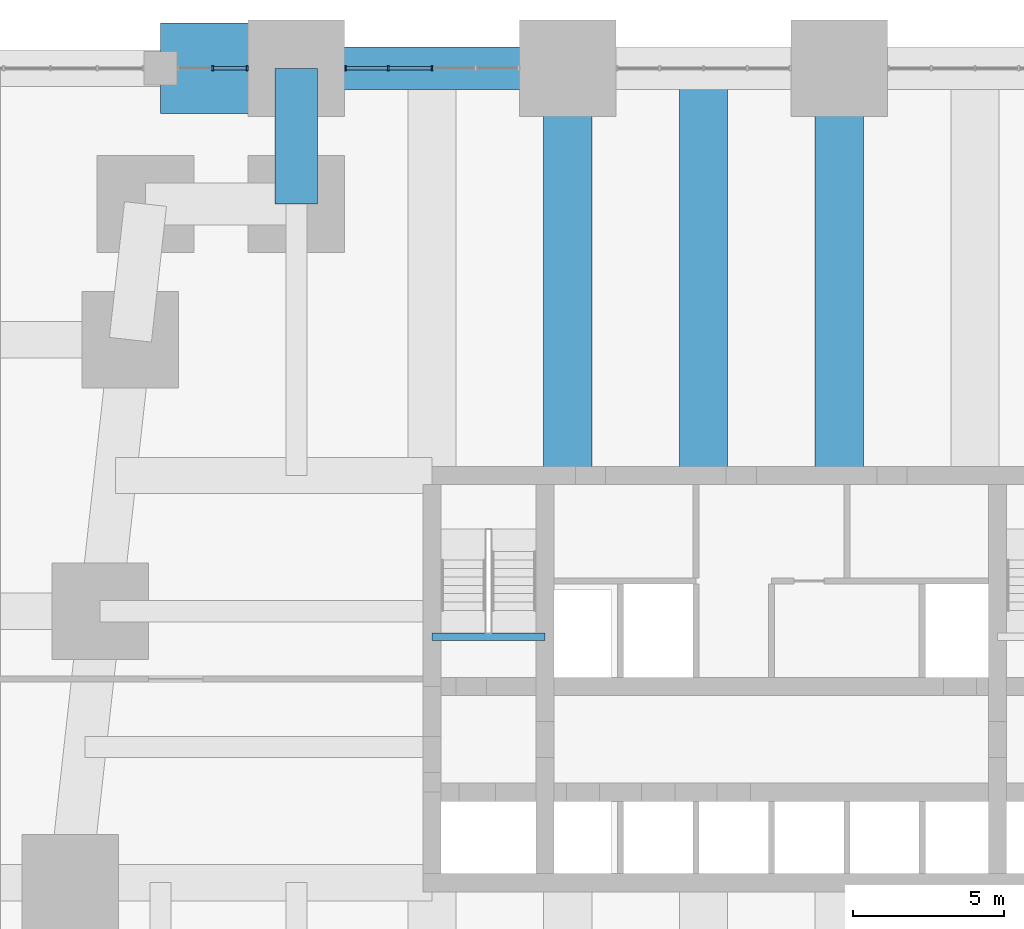
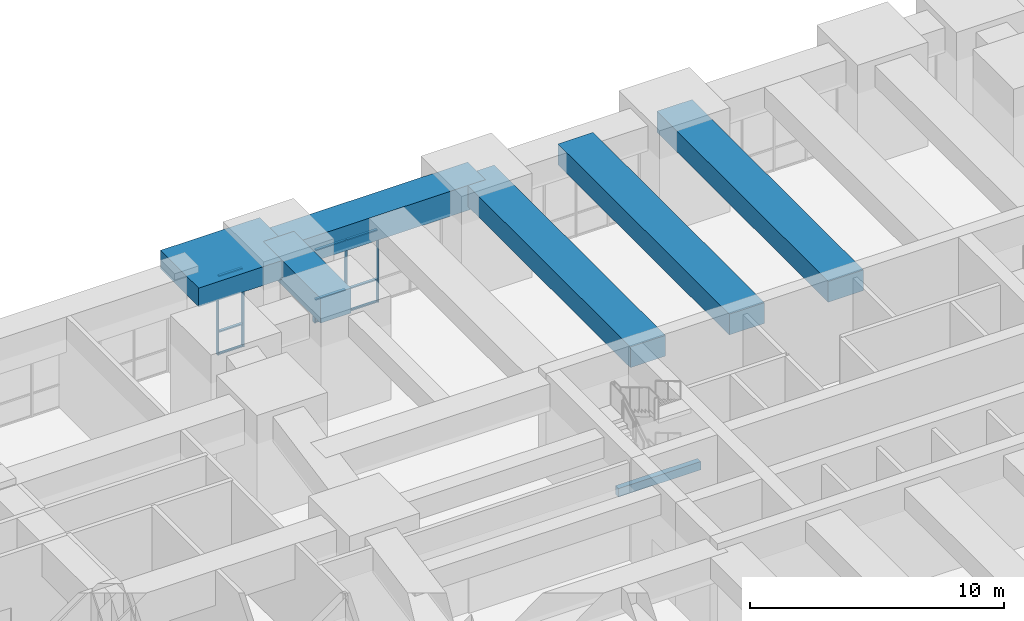
# One storey, part 11 of 27: 14 members, 7 beams, 2 elements without a shape of their own.
"""IFC4 building model written with IfcOpenShell, lengths in metres."""

from ifc_helpers import new_model, si_unit, direction, frame, origin, origin_2d, place, context, subcontext, project, spatial, rectangle, extrude, material, material_profile, profile_set, type_object, element, aggregate, save


model = new_model("IFC4")

# Units and contexts
model_context = context("Model", 3, precision=1e-05, world=origin(), true_north=direction((0.0, 1.0)))
body_context = subcontext(model_context, "Body", "Model", "MODEL_VIEW")
ifc_project = project(units=[si_unit("LENGTHUNIT", "METRE"), si_unit("AREAUNIT", "SQUARE_METRE"), si_unit("VOLUMEUNIT", "CUBIC_METRE"), si_unit("PLANEANGLEUNIT", "RADIAN"), si_unit("MASSUNIT", "GRAM", prefix="KILO")], contexts=[model_context])

# Site, building, storey
site_placement = place(None, origin())
site = spatial("IfcSite", under=ifc_project, at=site_placement, CompositionType="ELEMENT")
building_placement = place(site_placement, origin())
building = spatial("IfcBuilding", under=site, at=building_placement, Name="Kilele Tower Hotel", CompositionType="ELEMENT")
storey_placement = place(building_placement, frame((0.0, 0.0, 6.0)))
storey = spatial("IfcBuildingStorey", under=building, at=storey_placement, Name="L01", CompositionType="ELEMENT", Elevation=6.0)

# Beams
ifc_material_1 = material(Name="Concrete C60/75", Category="concrete")
ifc_material_profile_1 = material_profile(ifc_material_1, rectangle(XDim=1.60009765625, YDim=1.0, at=origin_2d()))
ifc_profile_set_1 = profile_set([ifc_material_profile_1], Name="Concrete C60/75")
beam_type_1 = type_object("IfcBeamType", Name="Beam RC 1600x1000 C60/75", PredefinedType="BEAM", material=ifc_profile_set_1)
for number, where, z_axis, x_axis, name in (
    (1, (27.0, 40.5, 4.199951171875), (0.0, -1.0, 0.0), (1.0, 0.0, 0.0), "Beam BC1 level L02"),
    (2, (22.5, 40.5, 4.199951171875), (0.0, -1.0, 0.0), (1.0, 0.0, 0.0), "Beam BC1 level L02"),
    (3, (18.0, 40.5, 4.199951171875), (0.0, -1.0, 0.0), (1.0, 0.0, 0.0), "Beam BC1 level L02"),
):
    element("IfcBeam", number, at=place(storey_placement, frame(where, z_axis=z_axis, x_axis=x_axis)), inside=storey, type_object=beam_type_1, Name=name, PredefinedType="BEAM", context=body_context, shape_type="SweptSolid", body=[
        extrude(rectangle(XDim=1.60009765625, YDim=1.0, at=origin_2d()), origin(), (0.0, 0.0, 1.0), 13.5),
    ])
ifc_material_2 = material(Name="Concrete C60/75", Category="concrete")
ifc_material_profile_2 = material_profile(ifc_material_2, rectangle(XDim=3.0, YDim=0.89990234375, at=origin_2d()))
ifc_profile_set_2 = profile_set([ifc_material_profile_2], Name="Concrete C60/75")
beam_type_2 = type_object("IfcBeamType", Name="Beam RC 3000x900 C60/75", PredefinedType="BEAM", material=ifc_profile_set_2)
beam_1_placement = place(storey_placement, frame((4.5, 40.5, 4.25), z_axis=(1.0, 0.0, 0.0), x_axis=(0.0, 1.0, 0.0)))
element("IfcBeam", 4, at=beam_1_placement, inside=storey, type_object=beam_type_2, Name="Beam PB1 level L02", PredefinedType="BEAM", context=body_context, shape_type="SweptSolid", body=[
    extrude(rectangle(XDim=3.0, YDim=0.89990234375, at=origin_2d()), origin(), (0.0, 0.0, 1.0), 4.5),
])
ifc_material_3 = material(Name="Concrete C40/50", Category="concrete")
ifc_material_profile_3 = material_profile(ifc_material_3, rectangle(XDim=0.25, YDim=0.39990234375, at=origin_2d()))
ifc_profile_set_3 = profile_set([ifc_material_profile_3], Name="Concrete C40/50")
beam_type_3 = type_object("IfcBeamType", Name="Landing beam RC 250x400 C40/50", PredefinedType="BEAM", material=ifc_profile_set_3)
beam_2_placement = place(storey_placement, frame((13.5, 21.64990234375, 2.300048828125), z_axis=(1.0, 0.0, 0.0), x_axis=(0.0, 1.0, 0.0)))
element("IfcBeam", 5, at=beam_2_placement, inside=storey, type_object=beam_type_3, Name="Landing beam ST1 L01", PredefinedType="BEAM", context=body_context, shape_type="SweptSolid", body=[
    extrude(rectangle(XDim=0.25, YDim=0.39990234375, at=origin_2d()), origin(), (0.0, 0.0, 1.0), 3.75),
])

# Curtain wall, members
ifc_material_4 = material(Name="Aluminium curtain wall, clear double glazing", Category="aluminium")
curtain_wall_type = type_object("IfcCurtainWallType", Name="Podium curtain wall CW-1", PredefinedType="NOTDEFINED", material=ifc_material_4)
curtain_wall_1_placement = place(storey_placement, origin())
curtain_wall_1 = element("IfcCurtainWall", 6, at=curtain_wall_1_placement, inside=storey, type_object=curtain_wall_type, Name="Podium curtain wall CW-1 L01", PredefinedType="NOTDEFINED")
ifc_material_5 = material(Name="Aluminium EN AW-6063 T6", Category="aluminium")
ifc_material_profile_4 = material_profile(ifc_material_5, rectangle(XDim=0.159912109375, YDim=0.06005859375, at=origin_2d()))
ifc_profile_set_4 = profile_set([ifc_material_profile_4], Name="Aluminium EN AW-6063 T6")
member_type_1 = type_object("IfcMemberType", Name="Mullion 60x160 CW-1", PredefinedType="MULLION", material=ifc_profile_set_4)
member_1_placement = place(storey_placement, frame((13.5, 40.5, 0.0), z_axis=(0.0, 0.0, 1.0), x_axis=(0.0, -1.0, 0.0)))
member_1 = element("IfcMember", 7, at=member_1_placement, type_object=member_type_1, Name="CW-1 mullion 3", PredefinedType="MULLION", context=body_context, shape_type="SweptSolid", body=[
    extrude(rectangle(XDim=0.159912109375, YDim=0.06005859375, at=origin_2d()), origin(), (0.0, 0.0, 1.0), 3.5),
])
member_2_placement = place(storey_placement, frame((12.050048828125, 40.5, 0.0), z_axis=(0.0, 0.0, 1.0), x_axis=(0.0, -1.0, 0.0)))
member_2 = element("IfcMember", 8, at=member_2_placement, type_object=member_type_1, Name="CW-1 mullion 4", PredefinedType="MULLION", context=body_context, shape_type="SweptSolid", body=[
    extrude(rectangle(XDim=0.159912109375, YDim=0.06005859375, at=origin_2d()), origin(), (0.0, 0.0, 1.0), 3.5),
])
member_3_placement = place(storey_placement, frame((10.6298828125, 40.5, 0.0), z_axis=(0.0, 0.0, 1.0), x_axis=(0.0, -1.0, 0.0)))
member_3 = element("IfcMember", 9, at=member_3_placement, type_object=member_type_1, Name="CW-1 mullion 5", PredefinedType="MULLION", context=body_context, shape_type="SweptSolid", body=[
    extrude(rectangle(XDim=0.159912109375, YDim=0.06005859375, at=origin_2d()), origin(), (0.0, 0.0, 1.0), 3.5),
])

curtain_wall_2_placement = place(storey_placement, origin())
curtain_wall_2 = element("IfcCurtainWall", 10, at=curtain_wall_2_placement, inside=storey, type_object=curtain_wall_type, Name="Podium curtain wall CW-1 L01", PredefinedType="NOTDEFINED")
member_4_placement = place(storey_placement, frame((7.3701171875, 40.5, 0.0), z_axis=(0.0, 0.0, 1.0), x_axis=(0.0, -1.0, 0.0)))
member_4 = element("IfcMember", 11, at=member_4_placement, type_object=member_type_1, Name="CW-1 mullion 1", PredefinedType="MULLION", context=body_context, shape_type="SweptSolid", body=[
    extrude(rectangle(XDim=0.159912109375, YDim=0.06005859375, at=origin_2d()), origin(), (0.0, 0.0, 1.0), 3.800048828125),
])
member_5_placement = place(storey_placement, frame((6.22509765625, 40.5, 0.0), z_axis=(0.0, 0.0, 1.0), x_axis=(0.0, -1.0, 0.0)))
member_5 = element("IfcMember", 12, at=member_5_placement, type_object=member_type_1, Name="CW-1 mullion 2", PredefinedType="MULLION", context=body_context, shape_type="SweptSolid", body=[
    extrude(rectangle(XDim=0.159912109375, YDim=0.06005859375, at=origin_2d()), origin(), (0.0, 0.0, 1.0), 3.800048828125),
])

# Beams
ifc_material_6 = material(Name="Concrete C60/75", Category="concrete")
ifc_material_profile_5 = material_profile(ifc_material_6, rectangle(XDim=1.39990234375, YDim=1.199951171875, at=origin_2d()))
ifc_profile_set_5 = profile_set([ifc_material_profile_5], Name="Concrete C60/75")
beam_type_4 = type_object("IfcBeamType", Name="Spandrel RC 1400x1200 C60/75", PredefinedType="SPANDREL", material=ifc_profile_set_5)
beam_3_placement = place(storey_placement, frame((18.0, 40.5, 4.10009765625), z_axis=(-1.0, 0.0, 0.0), x_axis=(0.0, -1.0, 0.0)))
element("IfcBeam", 13, at=beam_3_placement, inside=storey, type_object=beam_type_4, Name="Spandrel SP10 level L02", PredefinedType="SPANDREL", context=body_context, shape_type="SweptSolid", body=[
    extrude(rectangle(XDim=1.39990234375, YDim=1.199951171875, at=origin_2d()), origin(), (0.0, 0.0, 1.0), 9.0),
])
beam_4_placement = place(storey_placement, frame((9.0, 40.5, 4.10009765625), z_axis=(0.0, -1.0, 0.0), x_axis=(1.0, 0.0, 0.0)))
element("IfcBeam", 14, at=beam_4_placement, inside=storey, type_object=beam_type_4, Name="Spandrel SP10 level L02", PredefinedType="SPANDREL", context=body_context, shape_type="SweptSolid", body=[
    extrude(rectangle(XDim=1.39990234375, YDim=1.199951171875, at=origin_2d()), origin(), (0.0, 0.0, 1.0), 4.5),
])

# Member
ifc_material_7 = material(Name="Aluminium EN AW-6063 T6", Category="aluminium")
ifc_material_profile_6 = material_profile(ifc_material_7, rectangle(XDim=0.1201171875, YDim=0.06005859375, at=origin_2d()))
ifc_profile_set_6 = profile_set([ifc_material_profile_6], Name="Aluminium EN AW-6063 T6")
member_type_2 = type_object("IfcMemberType", Name="Transom 60x120 CW-1", PredefinedType="USERDEFINED", material=ifc_profile_set_6)
member_6_placement = place(storey_placement, frame((13.469970703125, 40.5, 0.030029296875), z_axis=(-1.0, 0.0, 0.0), x_axis=(0.0, -1.0, 0.0)))
member_6 = element("IfcMember", 15, at=member_6_placement, type_object=member_type_2, Name="CW-1 transom 3.1", ObjectType="TRANSOM", PredefinedType="USERDEFINED", context=body_context, shape_type="SweptSolid", body=[
    extrude(rectangle(XDim=0.1201171875, YDim=0.06005859375, at=origin_2d()), origin(), (0.0, 0.0, 1.0), 1.389892578125),
])

member_7_placement = place(storey_placement, frame((13.469970703125, 40.5, 1.10009765625), z_axis=(-1.0, 0.0, 0.0), x_axis=(0.0, -1.0, 0.0)))
member_7 = element("IfcMember", 16, at=member_7_placement, type_object=member_type_2, Name="CW-1 transom 3.2", ObjectType="TRANSOM", PredefinedType="USERDEFINED", context=body_context, shape_type="SweptSolid", body=[
    extrude(rectangle(XDim=0.1201171875, YDim=0.06005859375, at=origin_2d()), origin(), (0.0, 0.0, 1.0), 1.389892578125),
])

member_8_placement = place(storey_placement, frame((13.469970703125, 40.5, 3.469970703125), z_axis=(-1.0, 0.0, 0.0), x_axis=(0.0, -1.0, 0.0)))
member_8 = element("IfcMember", 17, at=member_8_placement, type_object=member_type_2, Name="CW-1 transom 3.3", ObjectType="TRANSOM", PredefinedType="USERDEFINED", context=body_context, shape_type="SweptSolid", body=[
    extrude(rectangle(XDim=0.1201171875, YDim=0.06005859375, at=origin_2d()), origin(), (0.0, 0.0, 1.0), 1.389892578125),
])

member_9_placement = place(storey_placement, frame((12.02001953125, 40.5, 0.030029296875), z_axis=(-1.0, 0.0, 0.0), x_axis=(0.0, -1.0, 0.0)))
member_9 = element("IfcMember", 18, at=member_9_placement, type_object=member_type_2, Name="CW-1 transom 4.1", ObjectType="TRANSOM", PredefinedType="USERDEFINED", context=body_context, shape_type="SweptSolid", body=[
    extrude(rectangle(XDim=0.1201171875, YDim=0.06005859375, at=origin_2d()), origin(), (0.0, 0.0, 1.0), 1.360107421875),
])

member_10_placement = place(storey_placement, frame((12.02001953125, 40.5, 1.10009765625), z_axis=(-1.0, 0.0, 0.0), x_axis=(0.0, -1.0, 0.0)))
member_10 = element("IfcMember", 19, at=member_10_placement, type_object=member_type_2, Name="CW-1 transom 4.2", ObjectType="TRANSOM", PredefinedType="USERDEFINED", context=body_context, shape_type="SweptSolid", body=[
    extrude(rectangle(XDim=0.1201171875, YDim=0.06005859375, at=origin_2d()), origin(), (0.0, 0.0, 1.0), 1.360107421875),
])

member_11_placement = place(storey_placement, frame((12.02001953125, 40.5, 3.469970703125), z_axis=(-1.0, 0.0, 0.0), x_axis=(0.0, -1.0, 0.0)))
member_11 = element("IfcMember", 20, at=member_11_placement, type_object=member_type_2, Name="CW-1 transom 4.3", ObjectType="TRANSOM", PredefinedType="USERDEFINED", context=body_context, shape_type="SweptSolid", body=[
    extrude(rectangle(XDim=0.1201171875, YDim=0.06005859375, at=origin_2d()), origin(), (0.0, 0.0, 1.0), 1.360107421875),
])

aggregate(curtain_wall_1, [member_1, member_2, member_3, member_6, member_7, member_8, member_9, member_10, member_11])

member_12_placement = place(storey_placement, frame((7.340087890625, 40.5, 0.030029296875), z_axis=(-1.0, 0.0, 0.0), x_axis=(0.0, -1.0, 0.0)))
member_12 = element("IfcMember", 21, at=member_12_placement, type_object=member_type_2, Name="CW-1 transom 1.1", ObjectType="TRANSOM", PredefinedType="USERDEFINED", context=body_context, shape_type="SweptSolid", body=[
    extrude(rectangle(XDim=0.1201171875, YDim=0.06005859375, at=origin_2d()), origin(), (0.0, 0.0, 1.0), 1.085205078125),
])

member_13_placement = place(storey_placement, frame((7.340087890625, 40.5, 1.10009765625), z_axis=(-1.0, 0.0, 0.0), x_axis=(0.0, -1.0, 0.0)))
member_13 = element("IfcMember", 22, at=member_13_placement, type_object=member_type_2, Name="CW-1 transom 1.2", ObjectType="TRANSOM", PredefinedType="USERDEFINED", context=body_context, shape_type="SweptSolid", body=[
    extrude(rectangle(XDim=0.1201171875, YDim=0.06005859375, at=origin_2d()), origin(), (0.0, 0.0, 1.0), 1.085205078125),
])

member_14_placement = place(storey_placement, frame((7.340087890625, 40.5, 3.77001953125), z_axis=(-1.0, 0.0, 0.0), x_axis=(0.0, -1.0, 0.0)))
member_14 = element("IfcMember", 23, at=member_14_placement, type_object=member_type_2, Name="CW-1 transom 1.3", ObjectType="TRANSOM", PredefinedType="USERDEFINED", context=body_context, shape_type="SweptSolid", body=[
    extrude(rectangle(XDim=0.1201171875, YDim=0.06005859375, at=origin_2d()), origin(), (0.0, 0.0, 1.0), 1.085205078125),
])

aggregate(curtain_wall_2, [member_4, member_5, member_12, member_13, member_14])

save(model, "model.ifc")
